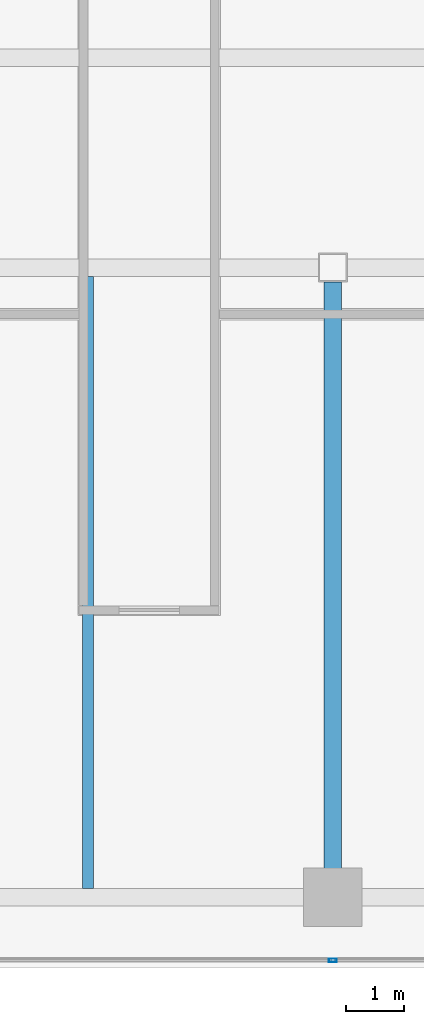
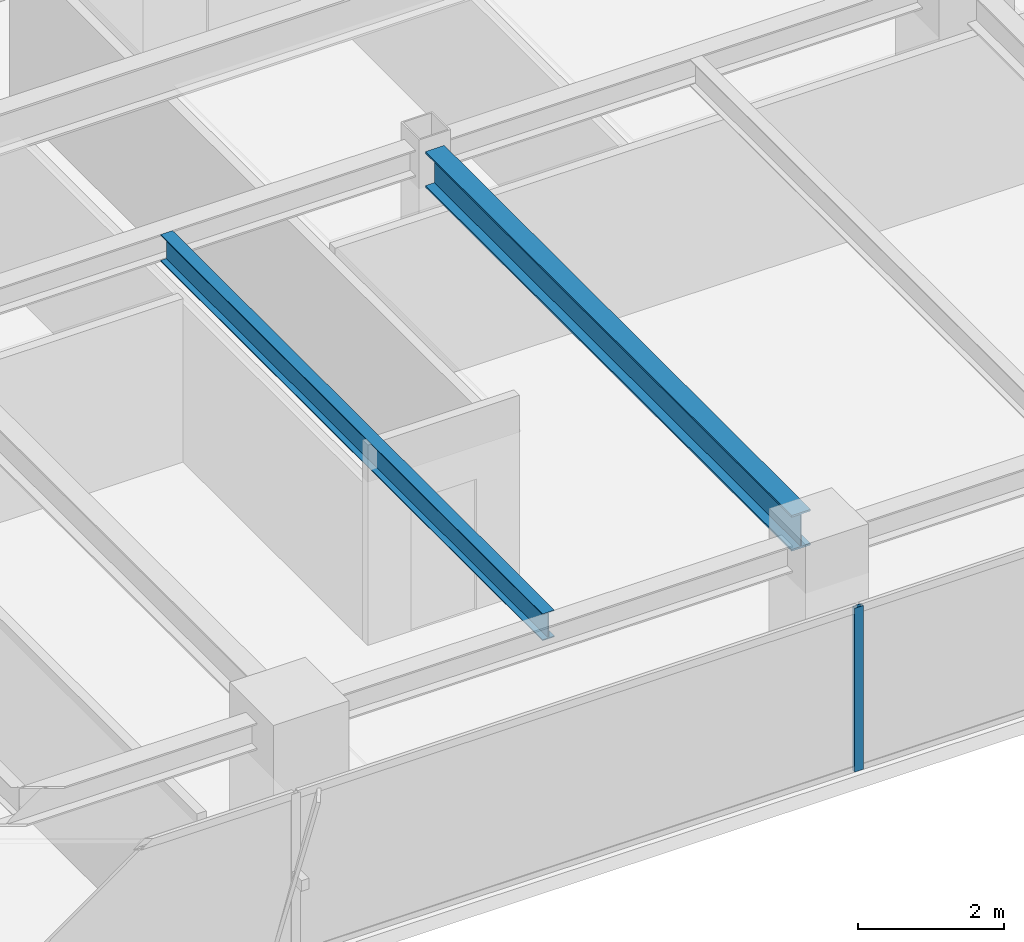
# One storey, part 6 of 26: 2 beams, 1 member, 1 element without a shape of its own.
"""IFC4 building model written with IfcOpenShell, lengths in metres."""

import ifcopenshell
import ifcopenshell.guid

model = None  # the IFC model being written
_history = None  # IfcOwnerHistory: only IFC2X3 demands one
_inside = {}  # id of a spatial element -> (the spatial element, [elements in it])
_under = {}  # id of a project, library or spatial element -> (it, [spatial elements below it])
_declared = {}  # id of a project -> (the project, [libraries it declares])
_typed = {}  # id of a type object -> (the type object, [elements of that type])
_made_of = {}  # id of a material, layer set ... -> (it, [elements and type objects made of it])


def new_model(schema):
    """Start an empty IFC model of exactly this schema.

    Asked for "IFC4X3", IfcOpenShell would pick the latest addendum, in which some entities
    have other attributes; the version numbers below select the first issue.
    IFC2X3 requires an IfcOwnerHistory on every rooted entity: one is made here for all.
    """
    global model, _history
    if schema == "IFC4X3":
        model = ifcopenshell.file(schema_version=(4, 3, 0, 0))
    else:
        model = ifcopenshell.file(schema=schema)
    _inside.clear()
    _under.clear()
    _declared.clear()
    _typed.clear()
    _made_of.clear()
    _history = None
    if model.schema == "IFC2X3":
        org = make("IfcOrganization", Name="unknown")
        user = make(
            "IfcPersonAndOrganization",
            ThePerson=make("IfcPerson", FamilyName="unknown"),
            TheOrganization=org,
        )
        app = make(
            "IfcApplication",
            ApplicationDeveloper=org,
            Version="unknown",
            ApplicationFullName="unknown",
            ApplicationIdentifier="unknown",
        )
        _history = make(
            "IfcOwnerHistory",
            OwningUser=user,
            OwningApplication=app,
            ChangeAction="ADDED",
            CreationDate=0,
        )
    return model


def make(cls, **values):
    """One entity of the class cls with the attributes given. An attribute that is None is left unset."""
    return model.create_entity(
        cls, **{name: value for name, value in values.items() if value is not None}
    )


def rooted(cls, **values):
    """An entity with a GlobalId (a new one), such as an element, a storey or a relation."""
    return make(cls, GlobalId=ifcopenshell.guid.new(), OwnerHistory=_history, **values)


def si_unit(unit_type, name, prefix=None):
    """IfcSIUnit, for example si_unit("LENGTHUNIT", "METRE", prefix="MILLI")."""
    return make("IfcSIUnit", UnitType=unit_type, Prefix=prefix, Name=name)


def assignment(units):
    """IfcUnitAssignment: the units of a project."""
    return None if units is None else make("IfcUnitAssignment", Units=units)


def point(xyz):
    """IfcCartesianPoint."""
    return None if xyz is None else make("IfcCartesianPoint", Coordinates=xyz)


def direction(xyz):
    """IfcDirection."""
    return None if xyz is None else make("IfcDirection", DirectionRatios=xyz)


def frame(location, z_axis=None, x_axis=None):
    """IfcAxis2Placement3D, a coordinate frame: its origin and axes. An axis left out is left unset."""
    return make(
        "IfcAxis2Placement3D",
        Location=point(location),
        Axis=direction(z_axis),
        RefDirection=direction(x_axis),
    )


def frame_2d(location, x_axis=None):
    """IfcAxis2Placement2D, a coordinate frame in the plane: its origin and x axis."""
    return make(
        "IfcAxis2Placement2D", Location=point(location), RefDirection=direction(x_axis)
    )


def origin():
    """The frame at (0, 0, 0) with its axes left unset."""
    return frame((0.0, 0.0, 0.0))


def origin_2d():
    """The frame at (0, 0) in the plane with its x axis left unset."""
    return frame_2d((0.0, 0.0))


def place(relative_to, where):
    """IfcLocalPlacement: puts the frame where relative to a parent placement (None: the world)."""
    return make(
        "IfcLocalPlacement", PlacementRelTo=relative_to, RelativePlacement=where
    )


def context(
    kind, dimensions, precision=None, world=None, true_north=None, identifier=None
):
    """IfcGeometricRepresentationContext, for example the 3D "Model" context."""
    return make(
        "IfcGeometricRepresentationContext",
        ContextIdentifier=identifier,
        ContextType=kind,
        CoordinateSpaceDimension=dimensions,
        Precision=precision,
        WorldCoordinateSystem=world,
        TrueNorth=true_north,
    )


def subcontext(parent, identifier, kind, view, scale=None):
    """IfcGeometricRepresentationSubContext, for example "Body" below "Model"."""
    return make(
        "IfcGeometricRepresentationSubContext",
        ContextIdentifier=identifier,
        ContextType=kind,
        ParentContext=parent,
        TargetScale=scale,
        TargetView=view,
    )


def project(units=None, contexts=None):
    """IfcProject with its units and contexts."""
    return rooted(
        "IfcProject",
        Name="project",
        RepresentationContexts=contexts,
        UnitsInContext=assignment(units),
    )


def spatial(cls, under=None, at=None, **own):
    """A site, building, storey or space (cls), placed at a placement, below another one or the project."""
    s = rooted(cls, ObjectPlacement=at, **own)
    if under is not None:
        _under.setdefault(under.id(), (under, []))[1].append(s)
    return s


def profile(cls, at=None, kind="AREA", **sizes):
    """A parametric profile (cls). Its sizes go by their IFC names, for example OverallWidth=200.0."""
    return make(cls, ProfileType=kind, Position=at, **sizes)


def hollow_rectangle(**sizes):
    """IfcRectangleHollowProfileDef."""
    return profile("IfcRectangleHollowProfileDef", **sizes)


def i_section(**sizes):
    """IfcIShapeProfileDef."""
    return profile("IfcIShapeProfileDef", **sizes)


def extrude(swept, where, along, depth):
    """IfcExtrudedAreaSolid: the profile swept, set in the frame where, extruded along a direction by depth."""
    return make(
        "IfcExtrudedAreaSolid",
        SweptArea=swept,
        Position=where,
        ExtrudedDirection=direction(along),
        Depth=depth,
    )


def shape(context_of_items, identifier, shape_type, items):
    """IfcShapeRepresentation: the items that make up one representation, for example the "Body"."""
    return make(
        "IfcShapeRepresentation",
        ContextOfItems=context_of_items,
        RepresentationIdentifier=identifier,
        RepresentationType=shape_type,
        Items=items,
    )


def source(mapping_origin, context_of_items, identifier, shape_type, items):
    """IfcRepresentationMap: a shape defined once, which mapped items show again and again."""
    return make(
        "IfcRepresentationMap",
        MappingOrigin=mapping_origin,
        MappedRepresentation=shape(context_of_items, identifier, shape_type, items),
    )


def transform(
    local_origin,
    x_axis=None,
    y_axis=None,
    z_axis=None,
    scale=None,
    scale2=None,
    scale3=None,
    uniform=True,
):
    """IfcCartesianTransformationOperator3D, or its non-uniform kind. x_axis, y_axis, z_axis: its Axis1, 2, 3."""
    if uniform:
        return make(
            "IfcCartesianTransformationOperator3D",
            Axis1=direction(x_axis),
            Axis2=direction(y_axis),
            LocalOrigin=point(local_origin),
            Scale=scale,
            Axis3=direction(z_axis),
        )
    return make(
        "IfcCartesianTransformationOperator3DnonUniform",
        Axis1=direction(x_axis),
        Axis2=direction(y_axis),
        LocalOrigin=point(local_origin),
        Scale=scale,
        Axis3=direction(z_axis),
        Scale2=scale2,
        Scale3=scale3,
    )


def mapped(mapping_source, mapping_target):
    """IfcMappedItem: shows the shape of a source again, moved by a transform."""
    return make(
        "IfcMappedItem", MappingSource=mapping_source, MappingTarget=mapping_target
    )


def material(Name=None, Category=None):
    """IfcMaterial."""
    return make("IfcMaterial", Name=Name, Category=Category)


def layer(
    of_material, thickness, ventilated=None, Name=None, Category=None, Priority=None
):
    """IfcMaterialLayer: one layer of a wall or slab, of a material (None: an air gap)."""
    return make(
        "IfcMaterialLayer",
        Material=of_material,
        LayerThickness=thickness,
        IsVentilated=ventilated,
        Name=Name,
        Category=Category,
        Priority=Priority,
    )


def layer_set(layers, Name=None):
    """IfcMaterialLayerSet."""
    return make("IfcMaterialLayerSet", MaterialLayers=layers, LayerSetName=Name)


def material_profile(
    of_material, cross_section, Name=None, Category=None, Priority=None
):
    """IfcMaterialProfile: a cross section and its material."""
    return make(
        "IfcMaterialProfile",
        Name=Name,
        Material=of_material,
        Profile=cross_section,
        Priority=Priority,
        Category=Category,
    )


def profile_set(profiles, Name=None, composite=None):
    """IfcMaterialProfileSet."""
    return make(
        "IfcMaterialProfileSet",
        Name=Name,
        MaterialProfiles=profiles,
        CompositeProfile=composite,
    )


def made_of(thing, what):
    """Note that an element or type object is made of a material, layer set ...; save() writes the relation."""
    if what is not None:
        _made_of.setdefault(what.id(), (what, []))[1].append(thing)
    return thing


def type_object(cls, material=None, **own):
    """A type object (cls), such as IfcWallType, which elements share."""
    return made_of(rooted(cls, **own), material)


def element(
    cls,
    number,
    at=None,
    inside=None,
    cuts=None,
    type_object=None,
    material=None,
    context=None,
    identifier="Body",
    shape_type=None,
    held_by="IfcProductDefinitionShape",
    body=None,
    shapes=None,
    **own,
):
    """One element of the class cls, such as IfcWall. Its Tag is "e" and its number.

    at: its placement. inside: the storey or other place that contains it. cuts: it is an
    opening in that element (IfcRelVoidsElement). A single representation is given by context,
    identifier, shape_type and body (its items); several are given by shapes. held_by: the class
    of the entity that holds the representations. save() writes the other relations.
    """
    e = rooted(cls, Tag="e%d" % number, ObjectPlacement=at, **own)
    if body is not None:
        shapes = [shape(context, identifier, shape_type, body)]
    if shapes is not None:
        e.Representation = make(held_by, Representations=shapes)
    if inside is not None:
        _inside.setdefault(inside.id(), (inside, []))[1].append(e)
    if cuts is not None:
        rooted(
            "IfcRelVoidsElement", RelatingBuildingElement=cuts, RelatedOpeningElement=e
        )
    if type_object is not None:
        _typed.setdefault(type_object.id(), (type_object, []))[1].append(e)
    return made_of(e, material)


def aggregate(whole, parts):
    """IfcRelAggregates: a whole, such as a stair, and the parts it consists of."""
    return rooted("IfcRelAggregates", RelatingObject=whole, RelatedObjects=parts)


def save(model, path):
    """Write the relations noted so far, then the file.

    IfcRelAggregates (storeys below a building ...), IfcRelContainedInSpatialStructure (elements
    in a storey), IfcRelDefinesByType, IfcRelAssociatesMaterial and IfcRelDeclares: one each for
    every whole, place, type object, material and project.
    """
    for whole, parts in _under.values():
        aggregate(whole, parts)
    for where, things in _inside.values():
        rooted(
            "IfcRelContainedInSpatialStructure",
            RelatedElements=things,
            RelatingStructure=where,
        )
    for kind, things in _typed.values():
        rooted("IfcRelDefinesByType", RelatedObjects=things, RelatingType=kind)
    for what, things in _made_of.values():
        rooted("IfcRelAssociatesMaterial", RelatedObjects=things, RelatingMaterial=what)
    for by, libraries in _declared.values():
        rooted("IfcRelDeclares", RelatingContext=by, RelatedDefinitions=libraries)
    model.write(path)


model = new_model("IFC4")

# Units and contexts
model_context = context("Model", 3, precision=1e-05, world=origin(), true_north=direction((0.0, 1.0)))
body_context = subcontext(model_context, "Body", "Model", "MODEL_VIEW")
ifc_project = project(units=[si_unit("LENGTHUNIT", "METRE"), si_unit("AREAUNIT", "SQUARE_METRE"), si_unit("VOLUMEUNIT", "CUBIC_METRE"), si_unit("PLANEANGLEUNIT", "RADIAN"), si_unit("MASSUNIT", "GRAM", prefix="KILO")], contexts=[model_context])

# Site, building, storey
site_placement = place(None, origin())
site = spatial("IfcSite", under=ifc_project, at=site_placement, CompositionType="ELEMENT")
building_placement = place(site_placement, origin())
building = spatial("IfcBuilding", under=site, at=building_placement, Name="Sumidabori Civic Tower", CompositionType="ELEMENT")
storey_placement = place(building_placement, frame((0.0, 0.0, 250.39990234375)))
storey = spatial("IfcBuildingStorey", under=building, at=storey_placement, Name="L65", CompositionType="ELEMENT", Elevation=250.39990234375)

# Beams
ifc_material_1 = material(Name="Steel SN490", Category="steel")
ifc_material_profile_1 = material_profile(ifc_material_1, i_section(OverallWidth=0.18994140625, OverallDepth=0.449951171875, WebThickness=0.009521484375, FlangeThickness=0.0146484375, at=origin_2d()), Name="IPE 450")
ifc_profile_set_1 = profile_set([ifc_material_profile_1], Name="Steel SN490")
beam_type_1 = type_object("IfcBeamType", Name="BM-JST-450", PredefinedType="JOIST", material=ifc_profile_set_1)
shared_shape_1 = source(origin(), body_context, "Body", "SweptSolid", [
    extrude(i_section(OverallWidth=0.18994140625, OverallDepth=0.449951171875, WebThickness=0.009521484375, FlangeThickness=0.0146484375, at=origin_2d()), origin(), (0.0, 0.0, 1.0), 10.5),
])
beam_1_placement = place(storey_placement, frame((-4.199951171875, -10.64990234375, 3.14501953125), z_axis=(0.0, 1.0, 0.0), x_axis=(-1.0, 0.0, 0.0)))
element("IfcBeam", 1, at=beam_1_placement, inside=storey, type_object=beam_type_1, Name="Upper Lens N-S Floor Joist L65 JSTV-21", PredefinedType="JOIST", context=body_context, shape_type="MappedRepresentation", body=[
    mapped(shared_shape_1, transform((0.0, 0.0, 0.0), x_axis=(1.0, 0.0, 0.0), y_axis=(0.0, 1.0, 0.0), z_axis=(0.0, 0.0, 1.0), scale=1.0)),
])
ifc_material_profile_2 = material_profile(ifc_material_1, i_section(OverallWidth=0.300048828125, OverallDepth=0.60009765625, WebThickness=0.015380859375, FlangeThickness=0.030029296875, at=origin_2d()), Name="HE 600 B")
ifc_profile_set_2 = profile_set([ifc_material_profile_2], Name="Steel SN490")
beam_type_2 = type_object("IfcBeamType", Name="BM-GIRD-600", PredefinedType="BEAM", material=ifc_profile_set_2)
shared_shape_2 = source(origin(), body_context, "Body", "SweptSolid", [
    extrude(i_section(OverallWidth=0.300048828125, OverallDepth=0.60009765625, WebThickness=0.015380859375, FlangeThickness=0.030029296875, at=origin_2d()), origin(), (0.0, 0.0, 1.0), 10.070068359375),
])
beam_2_placement = place(storey_placement, frame((0.0, -10.320068359375, 3.070068359375), z_axis=(0.0, 1.0, 0.0), x_axis=(-1.0, 0.0, 0.0)))
element("IfcBeam", 2, at=beam_2_placement, inside=storey, type_object=beam_type_2, Name="Primary Girder L65 GY-13", PredefinedType="BEAM", context=body_context, shape_type="MappedRepresentation", body=[
    mapped(shared_shape_2, transform((0.0, 0.0, 0.0), x_axis=(1.0, 0.0, 0.0), y_axis=(0.0, 1.0, 0.0), z_axis=(0.0, 0.0, 1.0), scale=1.0)),
])

# Curtain wall, member
ifc_material_2 = material(Name="Anodised Bronze Aluminium AW-6063-T6", Category="aluminium")
ifc_layer = layer(ifc_material_2, 0.179931640625, Name="Anodised Bronze Aluminium AW-6063-T6")
ifc_layer_set = layer_set([ifc_layer], Name="Anodised Bronze Aluminium AW-6063-T6")
curtain_wall_type = type_object("IfcCurtainWallType", Name="CW-SYS-5", PredefinedType="NOTDEFINED", material=ifc_layer_set)
curtain_wall_placement = place(storey_placement, origin())
curtain_wall = element("IfcCurtainWall", 3, at=curtain_wall_placement, inside=storey, type_object=curtain_wall_type, Name="Curtain Wall CW:L65:R01", PredefinedType="NOTDEFINED")
ifc_material_profile_3 = material_profile(ifc_material_2, hollow_rectangle(XDim=0.06005859375, YDim=0.139892578125, WallThickness=0.0048828125, at=origin_2d()), Name="ALU MULLION 140x60")
ifc_profile_set_3 = profile_set([ifc_material_profile_3], Name="Anodised Bronze Aluminium AW-6063-T6")
member_type = type_object("IfcMemberType", Name="CW-MUL-140", PredefinedType="MULLION", material=ifc_profile_set_3)
shared_shape_3 = source(origin(), body_context, "Body", "SweptSolid", [
    extrude(hollow_rectangle(XDim=0.06005859375, YDim=0.139892578125, WallThickness=0.0048828125, at=origin_2d()), origin(), (0.0, 0.0, 1.0), 2.75),
])
member_placement = place(storey_placement, frame((0.0, -11.8798828125, 0.0), z_axis=(0.0, 0.0, 1.0), x_axis=(0.0, 1.0, 0.0)))
member = element("IfcMember", 4, at=member_placement, type_object=member_type, Name="CW-5 mullion 3", PredefinedType="MULLION", context=body_context, shape_type="MappedRepresentation", body=[
    mapped(shared_shape_3, transform((0.0, 0.0, 0.0), x_axis=(1.0, 0.0, 0.0), y_axis=(0.0, 1.0, 0.0), z_axis=(0.0, 0.0, 1.0), scale=1.0)),
])
aggregate(curtain_wall, [member])

save(model, "model.ifc")
